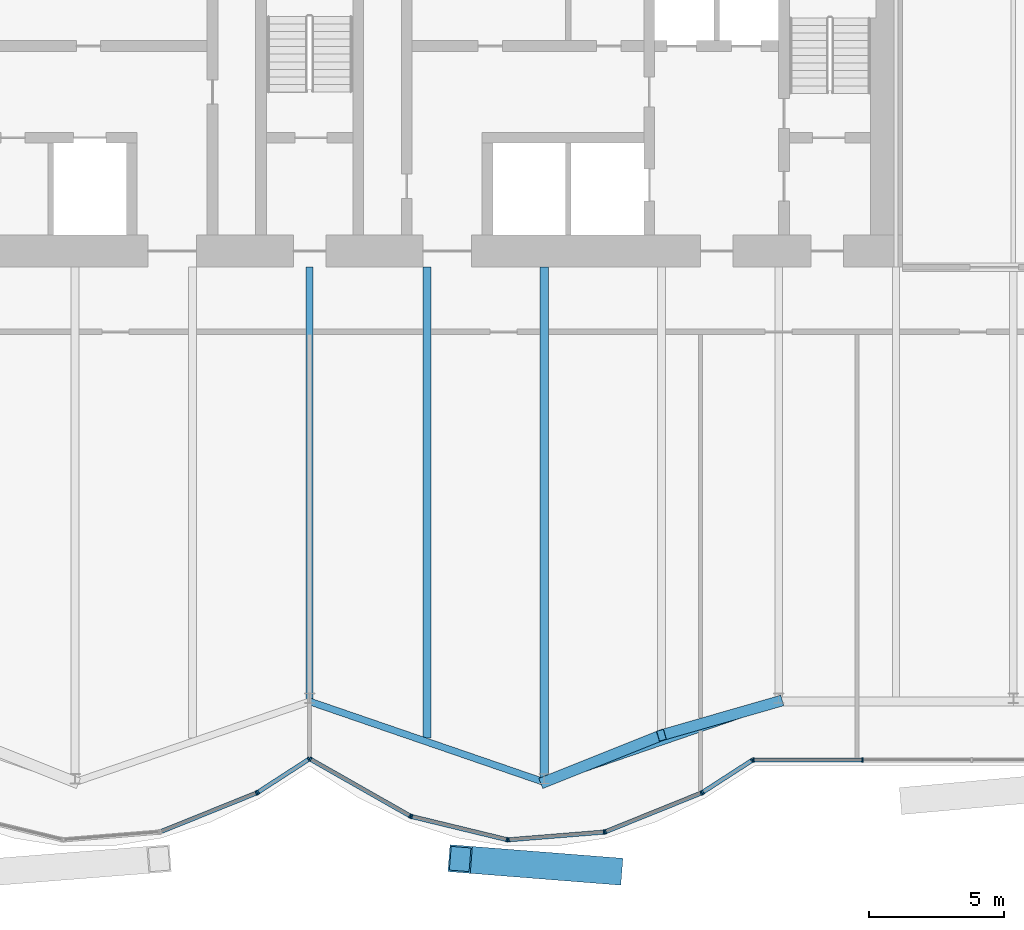
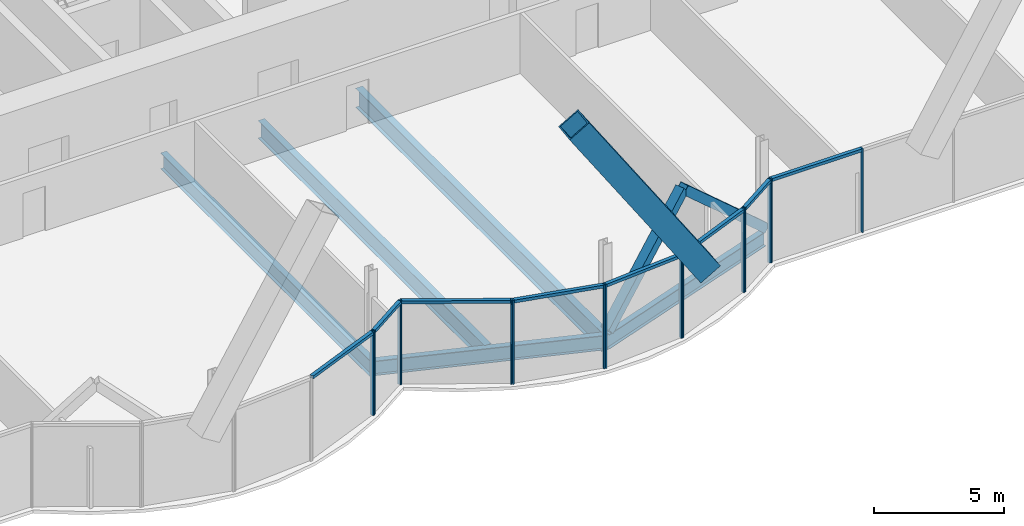
# One storey, part 8 of 20: 26 members, 5 beams, 3 elements without a shape of their own.
"""IFC4 building model written with IfcOpenShell, lengths in metres."""

from ifc_helpers import new_model, si_unit, direction, frame, origin, origin_2d, place, context, subcontext, project, spatial, rectangle, hollow_rectangle, i_section, extrude, material, material_profile, profile_set, type_object, element, aggregate, save


model = new_model("IFC4")

# Units and contexts
model_context = context("Model", 3, precision=1e-05, world=origin(), true_north=direction((0.0, 1.0)))
body_context = subcontext(model_context, "Body", "Model", "MODEL_VIEW")
ifc_project = project(units=[si_unit("LENGTHUNIT", "METRE"), si_unit("AREAUNIT", "SQUARE_METRE"), si_unit("VOLUMEUNIT", "CUBIC_METRE"), si_unit("PLANEANGLEUNIT", "RADIAN"), si_unit("MASSUNIT", "GRAM", prefix="KILO")], contexts=[model_context])

# Site, building, storey
site_placement = place(None, origin())
site = spatial("IfcSite", under=ifc_project, at=site_placement, CompositionType="ELEMENT")
building_placement = place(site_placement, origin())
building = spatial("IfcBuilding", under=site, at=building_placement, Name="Bicima Exchange Tower", CompositionType="ELEMENT")
storey_placement = place(building_placement, frame((0.0, 0.0, 219.60009765625)))
storey = spatial("IfcBuildingStorey", under=building, at=storey_placement, Name="L49", CompositionType="ELEMENT", Elevation=219.60009765625)

# Member
ifc_material_1 = material(Name="Steel ASTM A572 Gr 50", Category="steel")
ifc_material_profile_1 = material_profile(ifc_material_1, hollow_rectangle(XDim=1.0, YDim=1.0, WallThickness=0.06005859375, at=origin_2d()))
ifc_profile_set_1 = profile_set([ifc_material_profile_1], Name="Steel ASTM A572 Gr 50")
member_type_1 = type_object("IfcMemberType", Name="Exo mega brace BOX 1000x1000x60", PredefinedType="BRACE", material=ifc_profile_set_1)
member_1_placement = place(storey_placement, frame((11.166748046875, -35.39111328125, 4.066650390625), z_axis=(-0.55229083796, 0.043468452485, 0.832517461645), x_axis=(-0.078463079856, -0.996917020167, 0.0)))
element("IfcMember", 1, at=member_1_placement, inside=storey, type_object=member_type_1, Name="Exo mega brace front", PredefinedType="BRACE", context=body_context, shape_type="SweptSolid", body=[
    extrude(hollow_rectangle(XDim=1.0, YDim=1.0, WallThickness=0.06005859375, at=origin_2d()), origin(), (0.0, 0.0, 1.0), 10.109619140625),
])

# Beams
ifc_material_2 = material(Name="Steel ASTM A992 Gr 50", Category="steel")
ifc_material_profile_2 = material_profile(ifc_material_2, i_section(OverallWidth=0.2666015625, OverallDepth=0.75439453125, WebThickness=0.01318359375, FlangeThickness=0.01708984375, at=origin_2d()))
ifc_profile_set_2 = profile_set([ifc_material_profile_2], Name="Steel ASTM A992 Gr 50")
beam_type_1 = type_object("IfcBeamType", Name="Floor beam W30x99", PredefinedType="JOIST", material=ifc_profile_set_2)
beam_1_placement = place(storey_placement, frame((0.0, -13.0, -0.52734375), z_axis=(0.0, -1.0, 0.0), x_axis=(1.0, 0.0, 0.0)))
element("IfcBeam", 2, at=beam_1_placement, inside=storey, type_object=beam_type_1, Name="Floor beam", PredefinedType="JOIST", context=body_context, shape_type="SweptSolid", body=[
    extrude(i_section(OverallWidth=0.2666015625, OverallDepth=0.75439453125, WebThickness=0.01318359375, FlangeThickness=0.01708984375, at=origin_2d()), origin(), (0.0, 0.0, 1.0), 16.10791015625),
])
ifc_material_profile_3 = material_profile(ifc_material_2, i_section(OverallWidth=0.2919921875, OverallDepth=0.835693359375, WebThickness=0.013916015625, FlangeThickness=0.018798828125, at=origin_2d()))
ifc_profile_set_3 = profile_set([ifc_material_profile_3], Name="Steel ASTM A992 Gr 50")
beam_type_2 = type_object("IfcBeamType", Name="Floor beam W33x118", PredefinedType="JOIST", material=ifc_profile_set_3)
beam_2_placement = place(storey_placement, frame((4.35009765625, -13.0, -0.56787109375), z_axis=(0.0, -1.0, 0.0), x_axis=(1.0, 0.0, 0.0)))
element("IfcBeam", 3, at=beam_2_placement, inside=storey, type_object=beam_type_2, Name="Floor beam", PredefinedType="JOIST", context=body_context, shape_type="SweptSolid", body=[
    extrude(i_section(OverallWidth=0.2919921875, OverallDepth=0.835693359375, WebThickness=0.013916015625, FlangeThickness=0.018798828125, at=origin_2d()), origin(), (0.0, 0.0, 1.0), 17.468017578125),
])
ifc_material_profile_4 = material_profile(ifc_material_2, i_section(OverallWidth=0.3046875, OverallDepth=0.904296875, WebThickness=0.01513671875, FlangeThickness=0.02001953125, at=origin_2d()))
ifc_profile_set_4 = profile_set([ifc_material_profile_4], Name="Steel ASTM A992 Gr 50")
beam_type_3 = type_object("IfcBeamType", Name="Floor beam W36x135", PredefinedType="JOIST", material=ifc_profile_set_4)
beam_3_placement = place(storey_placement, frame((8.699951171875, -13.0, -0.602294921875), z_axis=(0.0, -1.0, 0.0), x_axis=(1.0, 0.0, 0.0)))
element("IfcBeam", 4, at=beam_3_placement, inside=storey, type_object=beam_type_3, Name="Floor beam", PredefinedType="JOIST", context=body_context, shape_type="SweptSolid", body=[
    extrude(i_section(OverallWidth=0.3046875, OverallDepth=0.904296875, WebThickness=0.01513671875, FlangeThickness=0.02001953125, at=origin_2d()), origin(), (0.0, 0.0, 1.0), 18.96337890625),
])
ifc_material_profile_5 = material_profile(ifc_material_2, i_section(OverallWidth=0.256591796875, OverallDepth=0.693359375, WebThickness=0.014404296875, FlangeThickness=0.023681640625, at=origin_2d()))
ifc_profile_set_5 = profile_set([ifc_material_profile_5], Name="Steel ASTM A992 Gr 50")
beam_type_4 = type_object("IfcBeamType", Name="Front girder W27x114", PredefinedType="BEAM", material=ifc_profile_set_5)
for number, where, z_axis, x_axis, name in (
    (5, (0.0, -29.10791015625, -0.496826171875), (0.945666456746, -0.325138359143, 0.0), (0.325138359143, 0.945666456746, 0.0), "Front girder"),
    (6, (8.699951171875, -32.09912109375, -0.496826171875), (0.945666456746, 0.325138359143, 0.0), (-0.325138359143, 0.945666456746, 0.0), "Front girder"),
):
    element("IfcBeam", number, at=place(storey_placement, frame(where, z_axis=z_axis, x_axis=x_axis)), inside=storey, type_object=beam_type_4, Name=name, PredefinedType="BEAM", context=body_context, shape_type="SweptSolid", body=[
        extrude(i_section(OverallWidth=0.256591796875, OverallDepth=0.693359375, WebThickness=0.014404296875, FlangeThickness=0.023681640625, at=origin_2d()), origin(), (0.0, 0.0, 1.0), 9.19970703125),
    ])

# Curtain wall, members
ifc_material_3 = material(Name="Anodised bronze aluminium", Category="aluminium")
curtain_wall_type = type_object("IfcCurtainWallType", Name="Front glass wall", PredefinedType="NOTDEFINED", material=ifc_material_3)
curtain_wall_1_placement = place(storey_placement, origin())
curtain_wall_1 = element("IfcCurtainWall", 7, at=curtain_wall_1_placement, inside=storey, type_object=curtain_wall_type, Name="Front glass wall L49 run 6", PredefinedType="NOTDEFINED")
ifc_material_profile_6 = material_profile(ifc_material_3, rectangle(XDim=0.159912109375, YDim=0.06005859375, at=origin_2d()))
ifc_profile_set_6 = profile_set([ifc_material_profile_6], Name="Anodised bronze aluminium")
member_type_2 = type_object("IfcMemberType", Name="Front glass wall mullion 60 x 160", PredefinedType="MULLION", material=ifc_profile_set_6)
member_2_placement = place(storey_placement, frame((-1.97412109375, -32.503662109375, 0.0), z_axis=(0.0, 0.0, 1.0), x_axis=(-0.374705304, 0.92714396679, 0.0)))
member_2 = element("IfcMember", 8, at=member_2_placement, type_object=member_type_2, Name="Front glass wall mullion 2", PredefinedType="MULLION", context=body_context, shape_type="SweptSolid", body=[
    extrude(rectangle(XDim=0.159912109375, YDim=0.06005859375, at=origin_2d()), origin(), (0.0, 0.0, 1.0), 3.949951171875),
])
member_3_placement = place(storey_placement, frame((-1.921142578125, -32.47607421875, 0.0), z_axis=(0.0, 0.0, 1.0), x_axis=(-0.542897457326, 0.839798994301, 0.0)))
member_3 = element("IfcMember", 9, at=member_3_placement, type_object=member_type_2, Name="Front glass wall mullion 1", PredefinedType="MULLION", context=body_context, shape_type="SweptSolid", body=[
    extrude(rectangle(XDim=0.159912109375, YDim=0.06005859375, at=origin_2d()), origin(), (0.0, 0.0, 1.0), 3.949951171875),
])
member_4_placement = place(storey_placement, frame((-0.025146484375, -31.25048828125, 0.0), z_axis=(0.0, 0.0, 1.0), x_axis=(-0.542897457326, 0.839798994301, 0.0)))
member_4 = element("IfcMember", 10, at=member_4_placement, type_object=member_type_2, Name="Front glass wall mullion 2", PredefinedType="MULLION", context=body_context, shape_type="SweptSolid", body=[
    extrude(rectangle(XDim=0.159912109375, YDim=0.06005859375, at=origin_2d()), origin(), (0.0, 0.0, 1.0), 3.949951171875),
])

curtain_wall_2_placement = place(storey_placement, origin())
curtain_wall_2 = element("IfcCurtainWall", 11, at=curtain_wall_2_placement, inside=storey, type_object=curtain_wall_type, Name="Front glass wall L49 run 11", PredefinedType="NOTDEFINED")
member_5_placement = place(storey_placement, frame((0.026123046875, -31.2490234375, 0.0), z_axis=(0.0, 0.0, 1.0), x_axis=(0.494330311331, 0.869274147378, 0.0)))
member_5 = element("IfcMember", 12, at=member_5_placement, type_object=member_type_2, Name="Front glass wall mullion 1", PredefinedType="MULLION", context=body_context, shape_type="SweptSolid", body=[
    extrude(rectangle(XDim=0.159912109375, YDim=0.06005859375, at=origin_2d()), origin(), (0.0, 0.0, 1.0), 3.949951171875),
])
member_6_placement = place(storey_placement, frame((3.7265625, -33.353515625, 0.0), z_axis=(0.0, 0.0, 1.0), x_axis=(0.494330311331, 0.869274147378, 0.0)))
member_6 = element("IfcMember", 13, at=member_6_placement, type_object=member_type_2, Name="Front glass wall mullion 2", PredefinedType="MULLION", context=body_context, shape_type="SweptSolid", body=[
    extrude(rectangle(XDim=0.159912109375, YDim=0.06005859375, at=origin_2d()), origin(), (0.0, 0.0, 1.0), 3.949951171875),
])
member_7_placement = place(storey_placement, frame((3.781982421875, -33.375244140625, 0.0), z_axis=(0.0, 0.0, 1.0), x_axis=(0.235681529503, 0.971830343553, 0.0)))
member_7 = element("IfcMember", 14, at=member_7_placement, type_object=member_type_2, Name="Front glass wall mullion 1", PredefinedType="MULLION", context=body_context, shape_type="SweptSolid", body=[
    extrude(rectangle(XDim=0.159912109375, YDim=0.06005859375, at=origin_2d()), origin(), (0.0, 0.0, 1.0), 3.949951171875),
])
member_8_placement = place(storey_placement, frame((7.322509765625, -34.23388671875, 0.0), z_axis=(0.0, 0.0, 1.0), x_axis=(0.235681529503, 0.971830343553, 0.0)))
member_8 = element("IfcMember", 15, at=member_8_placement, type_object=member_type_2, Name="Front glass wall mullion 2", PredefinedType="MULLION", context=body_context, shape_type="SweptSolid", body=[
    extrude(rectangle(XDim=0.159912109375, YDim=0.06005859375, at=origin_2d()), origin(), (0.0, 0.0, 1.0), 3.949951171875),
])
member_9_placement = place(storey_placement, frame((7.381591796875, -34.238525390625, 0.0), z_axis=(0.0, 0.0, 1.0), x_axis=(-0.080588612633, 0.99674744821, 0.0)))
member_9 = element("IfcMember", 16, at=member_9_placement, type_object=member_type_2, Name="Front glass wall mullion 1", PredefinedType="MULLION", context=body_context, shape_type="SweptSolid", body=[
    extrude(rectangle(XDim=0.159912109375, YDim=0.06005859375, at=origin_2d()), origin(), (0.0, 0.0, 1.0), 3.949951171875),
])
member_10_placement = place(storey_placement, frame((10.916015625, -33.952880859375, 0.0), z_axis=(0.0, 0.0, 1.0), x_axis=(-0.080588612633, 0.99674744821, 0.0)))
member_10 = element("IfcMember", 17, at=member_10_placement, type_object=member_type_2, Name="Front glass wall mullion 2", PredefinedType="MULLION", context=body_context, shape_type="SweptSolid", body=[
    extrude(rectangle(XDim=0.159912109375, YDim=0.06005859375, at=origin_2d()), origin(), (0.0, 0.0, 1.0), 3.949951171875),
])
member_11_placement = place(storey_placement, frame((10.973876953125, -33.939208984375, 0.0), z_axis=(0.0, 0.0, 1.0), x_axis=(-0.374705304, 0.92714396679, 0.0)))
member_11 = element("IfcMember", 18, at=member_11_placement, type_object=member_type_2, Name="Front glass wall mullion 1", PredefinedType="MULLION", context=body_context, shape_type="SweptSolid", body=[
    extrude(rectangle(XDim=0.159912109375, YDim=0.06005859375, at=origin_2d()), origin(), (0.0, 0.0, 1.0), 3.949951171875),
])
member_12_placement = place(storey_placement, frame((14.52587890625, -32.503662109375, 0.0), z_axis=(0.0, 0.0, 1.0), x_axis=(-0.374705304, 0.92714396679, 0.0)))
member_12 = element("IfcMember", 19, at=member_12_placement, type_object=member_type_2, Name="Front glass wall mullion 2", PredefinedType="MULLION", context=body_context, shape_type="SweptSolid", body=[
    extrude(rectangle(XDim=0.159912109375, YDim=0.06005859375, at=origin_2d()), origin(), (0.0, 0.0, 1.0), 3.949951171875),
])
member_13_placement = place(storey_placement, frame((14.578857421875, -32.47607421875, 0.0), z_axis=(0.0, 0.0, 1.0), x_axis=(-0.542909183079, 0.839791413941, 0.0)))
member_13 = element("IfcMember", 20, at=member_13_placement, type_object=member_type_2, Name="Front glass wall mullion 1", PredefinedType="MULLION", context=body_context, shape_type="SweptSolid", body=[
    extrude(rectangle(XDim=0.159912109375, YDim=0.06005859375, at=origin_2d()), origin(), (0.0, 0.0, 1.0), 3.949951171875),
])
member_14_placement = place(storey_placement, frame((16.406982421875, -31.294189453125, 0.0), z_axis=(0.0, 0.0, 1.0), x_axis=(-0.542909183079, 0.839791413941, 0.0)))
member_14 = element("IfcMember", 21, at=member_14_placement, type_object=member_type_2, Name="Front glass wall mullion 2", PredefinedType="MULLION", context=body_context, shape_type="SweptSolid", body=[
    extrude(rectangle(XDim=0.159912109375, YDim=0.06005859375, at=origin_2d()), origin(), (0.0, 0.0, 1.0), 3.949951171875),
])

curtain_wall_3_placement = place(storey_placement, origin())
curtain_wall_3 = element("IfcCurtainWall", 22, at=curtain_wall_3_placement, inside=storey, type_object=curtain_wall_type, Name="Front glass wall L49 run 16", PredefinedType="NOTDEFINED")
member_15_placement = place(storey_placement, frame((16.462158203125, -31.278076171875, 0.0), z_axis=(0.0, 0.0, 1.0), x_axis=(0.0, 1.0, 0.0)))
member_15 = element("IfcMember", 23, at=member_15_placement, type_object=member_type_2, Name="Front glass wall mullion 1", PredefinedType="MULLION", context=body_context, shape_type="SweptSolid", body=[
    extrude(rectangle(XDim=0.159912109375, YDim=0.06005859375, at=origin_2d()), origin(), (0.0, 0.0, 1.0), 3.949951171875),
])
member_16_placement = place(storey_placement, frame((20.51171875, -31.278076171875, 0.0), z_axis=(0.0, 0.0, 1.0), x_axis=(0.0, 1.0, 0.0)))
member_16 = element("IfcMember", 24, at=member_16_placement, type_object=member_type_2, Name="Front glass wall mullion 2", PredefinedType="MULLION", context=body_context, shape_type="SweptSolid", body=[
    extrude(rectangle(XDim=0.159912109375, YDim=0.06005859375, at=origin_2d()), origin(), (0.0, 0.0, 1.0), 3.949951171875),
])

# Member
ifc_material_profile_7 = material_profile(ifc_material_3, rectangle(XDim=0.159912109375, YDim=0.139892578125, at=origin_2d()))
ifc_profile_set_7 = profile_set([ifc_material_profile_7], Name="Anodised bronze aluminium")
member_type_3 = type_object("IfcMemberType", Name="Front glass wall transom 140 x 160", PredefinedType="USERDEFINED", material=ifc_profile_set_7)
member_17_placement = place(storey_placement, frame((-5.498291015625, -33.927978515625, 3.8798828125), z_axis=(0.927140215882, 0.374714584842, 0.0), x_axis=(-0.374714584842, 0.927140215882, 0.0)))
member_17 = element("IfcMember", 25, at=member_17_placement, type_object=member_type_3, Name="Front glass wall transom 1.1", ObjectType="TRANSOM", PredefinedType="USERDEFINED", context=body_context, shape_type="SweptSolid", body=[
    extrude(rectangle(XDim=0.159912109375, YDim=0.139892578125, at=origin_2d()), origin(), (0.0, 0.0, 1.0), 3.77099609375),
])

member_18_placement = place(storey_placement, frame((-1.89599609375, -32.459716796875, 3.8798828125), z_axis=(0.839811483481, 0.542878137536, 0.0), x_axis=(-0.542878137536, 0.839811483481, 0.0)))
member_18 = element("IfcMember", 26, at=member_18_placement, type_object=member_type_3, Name="Front glass wall transom 1.1", ObjectType="TRANSOM", PredefinedType="USERDEFINED", context=body_context, shape_type="SweptSolid", body=[
    extrude(rectangle(XDim=0.159912109375, YDim=0.139892578125, at=origin_2d()), origin(), (0.0, 0.0, 1.0), 2.19775390625),
])

aggregate(curtain_wall_1, [member_2, member_17, member_3, member_4, member_18])

member_19_placement = place(storey_placement, frame((0.05224609375, -31.263916015625, 3.8798828125), z_axis=(0.869290118928, -0.494302224488, 0.0), x_axis=(0.494302224488, 0.869290118928, 0.0)))
member_19 = element("IfcMember", 27, at=member_19_placement, type_object=member_type_3, Name="Front glass wall transom 1.1", ObjectType="TRANSOM", PredefinedType="USERDEFINED", context=body_context, shape_type="SweptSolid", body=[
    extrude(rectangle(XDim=0.159912109375, YDim=0.139892578125, at=origin_2d()), origin(), (0.0, 0.0, 1.0), 4.19677734375),
])

member_20_placement = place(storey_placement, frame((3.81103515625, -33.38232421875, 3.8798828125), z_axis=(0.971833557815, -0.235668275132, 0.0), x_axis=(0.235668275132, 0.971833557815, 0.0)))
member_20 = element("IfcMember", 28, at=member_20_placement, type_object=member_type_3, Name="Front glass wall transom 1.1", ObjectType="TRANSOM", PredefinedType="USERDEFINED", context=body_context, shape_type="SweptSolid", body=[
    extrude(rectangle(XDim=0.159912109375, YDim=0.139892578125, at=origin_2d()), origin(), (0.0, 0.0, 1.0), 3.583251953125),
])

member_21_placement = place(storey_placement, frame((7.41162109375, -34.236083984375, 3.8798828125), z_axis=(0.9967456465, 0.080610893699, 0.0), x_axis=(-0.080610893699, 0.9967456465, 0.0)))
member_21 = element("IfcMember", 29, at=member_21_placement, type_object=member_type_3, Name="Front glass wall transom 1.1", ObjectType="TRANSOM", PredefinedType="USERDEFINED", context=body_context, shape_type="SweptSolid", body=[
    extrude(rectangle(XDim=0.159912109375, YDim=0.139892578125, at=origin_2d()), origin(), (0.0, 0.0, 1.0), 3.48583984375),
])

member_22_placement = place(storey_placement, frame((11.001708984375, -33.927978515625, 3.8798828125), z_axis=(0.927140215882, 0.374714584842, 0.0), x_axis=(-0.374714584842, 0.927140215882, 0.0)))
member_22 = element("IfcMember", 30, at=member_22_placement, type_object=member_type_3, Name="Front glass wall transom 1.1", ObjectType="TRANSOM", PredefinedType="USERDEFINED", context=body_context, shape_type="SweptSolid", body=[
    extrude(rectangle(XDim=0.159912109375, YDim=0.139892578125, at=origin_2d()), origin(), (0.0, 0.0, 1.0), 3.77099609375),
])

member_23_placement = place(storey_placement, frame((14.60400390625, -32.459716796875, 3.8798828125), z_axis=(0.839792890287, 0.542906899407, 0.0), x_axis=(-0.542906899407, 0.839792890287, 0.0)))
member_23 = element("IfcMember", 31, at=member_23_placement, type_object=member_type_3, Name="Front glass wall transom 1.1", ObjectType="TRANSOM", PredefinedType="USERDEFINED", context=body_context, shape_type="SweptSolid", body=[
    extrude(rectangle(XDim=0.159912109375, YDim=0.139892578125, at=origin_2d()), origin(), (0.0, 0.0, 1.0), 2.11669921875),
])

aggregate(curtain_wall_2, [member_5, member_6, member_19, member_7, member_8, member_20, member_9, member_10, member_21, member_11, member_12, member_22, member_13, member_14, member_23])

member_24_placement = place(storey_placement, frame((16.4921875, -31.278076171875, 3.8798828125), z_axis=(1.0, 0.0, 0.0), x_axis=(0.0, 1.0, 0.0)))
member_24 = element("IfcMember", 32, at=member_24_placement, type_object=member_type_3, Name="Front glass wall transom 1.1", ObjectType="TRANSOM", PredefinedType="USERDEFINED", context=body_context, shape_type="SweptSolid", body=[
    extrude(rectangle(XDim=0.159912109375, YDim=0.139892578125, at=origin_2d()), origin(), (0.0, 0.0, 1.0), 3.989501953125),
])

aggregate(curtain_wall_3, [member_15, member_16, member_24])

# Members
ifc_material_profile_8 = material_profile(ifc_material_1, hollow_rectangle(XDim=0.406494140625, YDim=0.406494140625, WallThickness=0.0146484375, at=origin_2d()))
ifc_profile_set_8 = profile_set([ifc_material_profile_8], Name="Steel ASTM A572 Gr 50")
member_type_4 = type_object("IfcMemberType", Name="Mega brace HSS16x16x5/8", PredefinedType="BRACE", material=ifc_profile_set_8)
member_25_placement = place(storey_placement, frame((8.699951171875, -32.09912109375, 0.0), z_axis=(0.698744239452, 0.279411421377, 0.658548210412), x_axis=(-0.371291842786, 0.928516218211, 0.0)))
element("IfcMember", 33, at=member_25_placement, inside=storey, type_object=member_type_4, Name="Mega brace front", PredefinedType="BRACE", context=body_context, shape_type="SweptSolid", body=[
    extrude(hollow_rectangle(XDim=0.406494140625, YDim=0.406494140625, WallThickness=0.0146484375, at=origin_2d()), origin(), (0.0, 0.0, 1.0), 6.2255859375),
])
member_26_placement = place(storey_placement, frame((17.39990234375, -29.10791015625, 0.0), z_axis=(-0.712260478479, -0.204959278956, 0.671324589723), x_axis=(0.276537209588, -0.961003211084, 0.0)))
element("IfcMember", 34, at=member_26_placement, inside=storey, type_object=member_type_4, Name="Mega brace front", PredefinedType="BRACE", context=body_context, shape_type="SweptSolid", body=[
    extrude(hollow_rectangle(XDim=0.406494140625, YDim=0.406494140625, WallThickness=0.0146484375, at=origin_2d()), origin(), (0.0, 0.0, 1.0), 6.107177734375),
])

save(model, "model.ifc")
